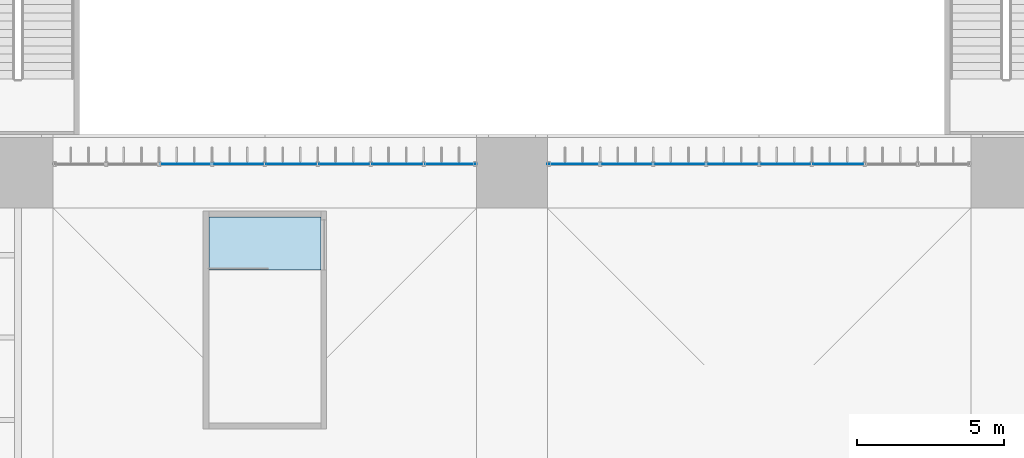
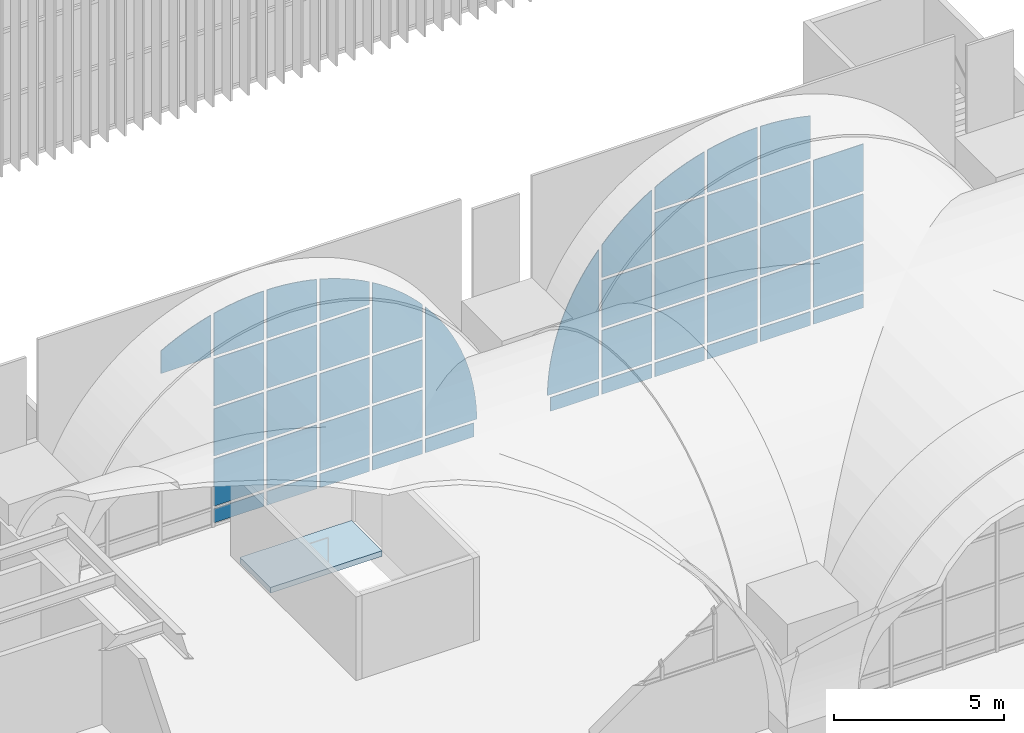
# One storey, part 79 of 169: 47 plates, 1 slab, 2 elements without a shape of their own.
"""IFC4 building model written with IfcOpenShell, lengths in metres."""

from ifc_helpers import new_model, si_unit, direction, frame, origin, place, context, subcontext, project, spatial, polyline, outline, extrude, material, layer, layer_set, type_object, element, aggregate, save


model = new_model("IFC4")

# Units and contexts
model_context = context("Model", 3, precision=1e-05, world=origin(), true_north=direction((0.0, 1.0)))
body_context = subcontext(model_context, "Body", "Model", "MODEL_VIEW")
ifc_project = project(units=[si_unit("LENGTHUNIT", "METRE"), si_unit("AREAUNIT", "SQUARE_METRE"), si_unit("VOLUMEUNIT", "CUBIC_METRE"), si_unit("PLANEANGLEUNIT", "RADIAN"), si_unit("MASSUNIT", "GRAM", prefix="KILO")], contexts=[model_context])

# Site, building, storey
site_placement = place(None, origin())
site = spatial("IfcSite", under=ifc_project, at=site_placement, CompositionType="ELEMENT")
building_placement = place(site_placement, origin())
building = spatial("IfcBuilding", under=site, at=building_placement, Name="Verrick Yard Athletic Hall", CompositionType="ELEMENT")
storey_placement = place(building_placement, frame((0.0, 0.0, 4.39990234375)))
storey = spatial("IfcBuildingStorey", under=building, at=storey_placement, Name="L01", CompositionType="ELEMENT", Elevation=4.39990234375)

# Slab
ifc_material_1 = material(Name="Concrete 35 MPa", Category="concrete")
ifc_layer_1 = layer(ifc_material_1, 0.199951171875)
ifc_layer_set_1 = layer_set([ifc_layer_1], Name="Core floor slab 200")
slab_type = type_object("IfcSlabType", Name="Core floor slab 200", PredefinedType="FLOOR", material=ifc_layer_set_1)
slab_placement = place(storey_placement, frame((0.0, 0.0, -0.199951171875)))
element("IfcSlab", 1, at=slab_placement, inside=storey, type_object=slab_type, Name="CORE-PS-N1-NL-L01", PredefinedType="FLOOR", context=body_context, shape_type="SweptSolid", body=[
    extrude(outline(polyline([(46.5, 51.300048828125), (46.5, 49.5), (50.300048828125, 49.5), (50.300048828125, 51.300048828125), (46.5, 51.300048828125)])), origin(), (0.0, 0.0, 1.0), 0.199951171875),
])

# Curtain wall, plates
ifc_material_2 = material(Name="Aluminium and glass curtain wall", Category="aluminium")
ifc_layer_2 = layer(ifc_material_2, 0.14990234375)
ifc_layer_set_2 = layer_set([ifc_layer_2], Name="Arcade glazing arch")
curtain_wall_type = type_object("IfcCurtainWallType", Name="Arcade glazing arch", PredefinedType="NOTDEFINED", material=ifc_layer_set_2)
curtain_wall_1_placement = place(storey_placement, origin())
curtain_wall_1 = element("IfcCurtainWall", 2, at=curtain_wall_1_placement, inside=storey, type_object=curtain_wall_type, Name="Arcade glazing N1", PredefinedType="NOTDEFINED")
ifc_material_3 = material(Name="Laminated glass 28 mm", Category="glass")
ifc_layer_3 = layer(ifc_material_3, 0.028076171875)
ifc_layer_set_3 = layer_set([ifc_layer_3], Name="Curtain wall glass panel")
plate_type = type_object("IfcPlateType", Name="Curtain wall glass panel", PredefinedType="CURTAIN_PANEL", material=ifc_layer_set_3)
plate_1_placement = place(storey_placement, frame((41.199951171875, 53.10009765625, 6.100830078125), z_axis=(0.0, 0.0, 1.0), x_axis=(1.0, 0.0, 0.0)))
plate_1 = element("IfcPlate", 3, at=plate_1_placement, type_object=plate_type, Name="Arcade glazing N1 panel 11", PredefinedType="CURTAIN_PANEL", context=body_context, shape_type="SweptSolid", body=[
    extrude(outline(polyline([(5.34912109375, 1.507080078125), (5.33642578125, 1.50390625), (5.034912109375, 1.416015625), (4.737548828125, 1.315185546875), (4.444580078125, 1.201171875), (4.156982421875, 1.07470703125), (3.87548828125, 0.935791015625), (3.65087890625, 0.8125), (3.65087890625, 0.0), (5.34912109375, 0.0), (5.34912109375, 1.507080078125)])), frame((0.0, 0.01416015625, 0.0), z_axis=(0.0, -1.0, 0.0), x_axis=(1.0, 0.0, 0.0)), (0.0, 0.0, 1.0), 0.028076171875),
])
plate_2_placement = place(storey_placement, frame((41.199951171875, 53.10009765625, 0.101806640625), z_axis=(0.0, 0.0, 1.0), x_axis=(1.0, 0.0, 0.0)))
plate_2 = element("IfcPlate", 4, at=plate_2_placement, type_object=plate_type, Name="Arcade glazing N1 panel 12", PredefinedType="CURTAIN_PANEL", context=body_context, shape_type="SweptSolid", body=[
    extrude(outline(polyline([(7.149169921875, 0.0), (7.149169921875, 0.49755859375), (5.45068359375, 0.49755859375), (5.45068359375, 0.0), (7.149169921875, 0.0)])), frame((0.0, 0.01416015625, 0.0), z_axis=(0.0, -1.0, 0.0), x_axis=(1.0, 0.0, 0.0)), (0.0, 0.0, 1.0), 0.028076171875),
])
plate_3_placement = place(storey_placement, frame((41.199951171875, 53.10009765625, 0.700927734375), z_axis=(0.0, 0.0, 1.0), x_axis=(1.0, 0.0, 0.0)))
plate_3 = element("IfcPlate", 5, at=plate_3_placement, type_object=plate_type, Name="Arcade glazing N1 panel 13", PredefinedType="CURTAIN_PANEL", context=body_context, shape_type="SweptSolid", body=[
    extrude(outline(polyline([(7.149169921875, 0.0), (7.149169921875, 1.698486328125), (5.45068359375, 1.698486328125), (5.45068359375, 0.0), (7.149169921875, 0.0)])), frame((0.0, 0.01416015625, 0.0), z_axis=(0.0, -1.0, 0.0), x_axis=(1.0, 0.0, 0.0)), (0.0, 0.0, 1.0), 0.028076171875),
])
plate_4_placement = place(storey_placement, frame((41.199951171875, 53.10009765625, 2.5009765625), z_axis=(0.0, 0.0, 1.0), x_axis=(1.0, 0.0, 0.0)))
plate_4 = element("IfcPlate", 6, at=plate_4_placement, type_object=plate_type, Name="Arcade glazing N1 panel 14", PredefinedType="CURTAIN_PANEL", context=body_context, shape_type="SweptSolid", body=[
    extrude(outline(polyline([(7.149169921875, 0.0), (7.149169921875, 1.6982421875), (5.45068359375, 1.6982421875), (5.45068359375, 0.0), (7.149169921875, 0.0)])), frame((0.0, 0.01416015625, 0.0), z_axis=(0.0, -1.0, 0.0), x_axis=(1.0, 0.0, 0.0)), (0.0, 0.0, 1.0), 0.028076171875),
])
plate_5_placement = place(storey_placement, frame((41.199951171875, 53.10009765625, 4.30078125), z_axis=(0.0, 0.0, 1.0), x_axis=(1.0, 0.0, 0.0)))
plate_5 = element("IfcPlate", 7, at=plate_5_placement, type_object=plate_type, Name="Arcade glazing N1 panel 15", PredefinedType="CURTAIN_PANEL", context=body_context, shape_type="SweptSolid", body=[
    extrude(outline(polyline([(7.149169921875, 0.0), (7.149169921875, 1.698486328125), (5.45068359375, 1.698486328125), (5.45068359375, 0.0), (7.149169921875, 0.0)])), frame((0.0, 0.01416015625, 0.0), z_axis=(0.0, -1.0, 0.0), x_axis=(1.0, 0.0, 0.0)), (0.0, 0.0, 1.0), 0.028076171875),
])
plate_6_placement = place(storey_placement, frame((41.199951171875, 53.10009765625, 6.100830078125), z_axis=(0.0, 0.0, 1.0), x_axis=(1.0, 0.0, 0.0)))
plate_6 = element("IfcPlate", 8, at=plate_6_placement, type_object=plate_type, Name="Arcade glazing N1 panel 16", PredefinedType="CURTAIN_PANEL", context=body_context, shape_type="SweptSolid", body=[
    extrude(outline(polyline([(7.149169921875, 1.748046875), (6.885986328125, 1.742431640625), (6.572509765625, 1.721923828125), (6.26025390625, 1.687744140625), (5.94970703125, 1.639892578125), (5.6416015625, 1.57861328125), (5.45068359375, 1.531982421875), (5.45068359375, 0.0), (7.149169921875, 0.0), (7.149169921875, 1.748046875)])), frame((0.0, 0.01416015625, 0.0), z_axis=(0.0, -1.0, 0.0), x_axis=(1.0, 0.0, 0.0)), (0.0, 0.0, 1.0), 0.028076171875),
])
plate_7_placement = place(storey_placement, frame((41.199951171875, 53.10009765625, 0.101806640625), z_axis=(0.0, 0.0, 1.0), x_axis=(1.0, 0.0, 0.0)))
plate_7 = element("IfcPlate", 9, at=plate_7_placement, type_object=plate_type, Name="Arcade glazing N1 panel 17", PredefinedType="CURTAIN_PANEL", context=body_context, shape_type="SweptSolid", body=[
    extrude(outline(polyline([(8.94921875, 0.0), (8.94921875, 0.49755859375), (7.250732421875, 0.49755859375), (7.250732421875, 0.0), (8.94921875, 0.0)])), frame((0.0, 0.01416015625, 0.0), z_axis=(0.0, -1.0, 0.0), x_axis=(1.0, 0.0, 0.0)), (0.0, 0.0, 1.0), 0.028076171875),
])
plate_8_placement = place(storey_placement, frame((41.199951171875, 53.10009765625, 0.700927734375), z_axis=(0.0, 0.0, 1.0), x_axis=(1.0, 0.0, 0.0)))
plate_8 = element("IfcPlate", 10, at=plate_8_placement, type_object=plate_type, Name="Arcade glazing N1 panel 18", PredefinedType="CURTAIN_PANEL", context=body_context, shape_type="SweptSolid", body=[
    extrude(outline(polyline([(8.94921875, 0.0), (8.94921875, 1.698486328125), (7.250732421875, 1.698486328125), (7.250732421875, 0.0), (8.94921875, 0.0)])), frame((0.0, 0.01416015625, 0.0), z_axis=(0.0, -1.0, 0.0), x_axis=(1.0, 0.0, 0.0)), (0.0, 0.0, 1.0), 0.028076171875),
])
plate_9_placement = place(storey_placement, frame((41.199951171875, 53.10009765625, 2.5009765625), z_axis=(0.0, 0.0, 1.0), x_axis=(1.0, 0.0, 0.0)))
plate_9 = element("IfcPlate", 11, at=plate_9_placement, type_object=plate_type, Name="Arcade glazing N1 panel 19", PredefinedType="CURTAIN_PANEL", context=body_context, shape_type="SweptSolid", body=[
    extrude(outline(polyline([(8.94921875, 0.0), (8.94921875, 1.6982421875), (7.250732421875, 1.6982421875), (7.250732421875, 0.0), (8.94921875, 0.0)])), frame((0.0, 0.01416015625, 0.0), z_axis=(0.0, -1.0, 0.0), x_axis=(1.0, 0.0, 0.0)), (0.0, 0.0, 1.0), 0.028076171875),
])
plate_10_placement = place(storey_placement, frame((41.199951171875, 53.10009765625, 4.30078125), z_axis=(0.0, 0.0, 1.0), x_axis=(1.0, 0.0, 0.0)))
plate_10 = element("IfcPlate", 12, at=plate_10_placement, type_object=plate_type, Name="Arcade glazing N1 panel 20", PredefinedType="CURTAIN_PANEL", context=body_context, shape_type="SweptSolid", body=[
    extrude(outline(polyline([(8.94921875, 0.0), (8.94921875, 1.698486328125), (7.250732421875, 1.698486328125), (7.250732421875, 0.0), (8.94921875, 0.0)])), frame((0.0, 0.01416015625, 0.0), z_axis=(0.0, -1.0, 0.0), x_axis=(1.0, 0.0, 0.0)), (0.0, 0.0, 1.0), 0.028076171875),
])
plate_11_placement = place(storey_placement, frame((41.199951171875, 53.10009765625, 6.100830078125), z_axis=(0.0, 0.0, 1.0), x_axis=(1.0, 0.0, 0.0)))
plate_11 = element("IfcPlate", 13, at=plate_11_placement, type_object=plate_type, Name="Arcade glazing N1 panel 21", PredefinedType="CURTAIN_PANEL", context=body_context, shape_type="SweptSolid", body=[
    extrude(outline(polyline([(8.94921875, 1.531982421875), (8.75830078125, 1.57861328125), (8.4501953125, 1.639892578125), (8.139892578125, 1.687744140625), (7.827392578125, 1.721923828125), (7.51416015625, 1.742431640625), (7.250732421875, 1.748046875), (7.250732421875, 0.0), (8.94921875, 0.0), (8.94921875, 1.531982421875)])), frame((0.0, 0.01416015625, 0.0), z_axis=(0.0, -1.0, 0.0), x_axis=(1.0, 0.0, 0.0)), (0.0, 0.0, 1.0), 0.028076171875),
])
plate_12_placement = place(storey_placement, frame((41.199951171875, 53.10009765625, 0.101806640625), z_axis=(0.0, 0.0, 1.0), x_axis=(1.0, 0.0, 0.0)))
plate_12 = element("IfcPlate", 14, at=plate_12_placement, type_object=plate_type, Name="Arcade glazing N1 panel 22", PredefinedType="CURTAIN_PANEL", context=body_context, shape_type="SweptSolid", body=[
    extrude(outline(polyline([(10.749267578125, 0.0), (10.749267578125, 0.49755859375), (9.05078125, 0.49755859375), (9.05078125, 0.0), (10.749267578125, 0.0)])), frame((0.0, 0.01416015625, 0.0), z_axis=(0.0, -1.0, 0.0), x_axis=(1.0, 0.0, 0.0)), (0.0, 0.0, 1.0), 0.028076171875),
])
plate_13_placement = place(storey_placement, frame((41.199951171875, 53.10009765625, 0.700927734375), z_axis=(0.0, 0.0, 1.0), x_axis=(1.0, 0.0, 0.0)))
plate_13 = element("IfcPlate", 15, at=plate_13_placement, type_object=plate_type, Name="Arcade glazing N1 panel 23", PredefinedType="CURTAIN_PANEL", context=body_context, shape_type="SweptSolid", body=[
    extrude(outline(polyline([(10.749267578125, 0.0), (10.749267578125, 1.698486328125), (9.05078125, 1.698486328125), (9.05078125, 0.0), (10.749267578125, 0.0)])), frame((0.0, 0.01416015625, 0.0), z_axis=(0.0, -1.0, 0.0), x_axis=(1.0, 0.0, 0.0)), (0.0, 0.0, 1.0), 0.028076171875),
])
plate_14_placement = place(storey_placement, frame((41.199951171875, 53.10009765625, 2.5009765625), z_axis=(0.0, 0.0, 1.0), x_axis=(1.0, 0.0, 0.0)))
plate_14 = element("IfcPlate", 16, at=plate_14_placement, type_object=plate_type, Name="Arcade glazing N1 panel 24", PredefinedType="CURTAIN_PANEL", context=body_context, shape_type="SweptSolid", body=[
    extrude(outline(polyline([(10.749267578125, 0.0), (10.749267578125, 1.6982421875), (9.05078125, 1.6982421875), (9.05078125, 0.0), (10.749267578125, 0.0)])), frame((0.0, 0.01416015625, 0.0), z_axis=(0.0, -1.0, 0.0), x_axis=(1.0, 0.0, 0.0)), (0.0, 0.0, 1.0), 0.028076171875),
])
plate_15_placement = place(storey_placement, frame((41.199951171875, 53.10009765625, 4.30078125), z_axis=(0.0, 0.0, 1.0), x_axis=(1.0, 0.0, 0.0)))
plate_15 = element("IfcPlate", 17, at=plate_15_placement, type_object=plate_type, Name="Arcade glazing N1 panel 25", PredefinedType="CURTAIN_PANEL", context=body_context, shape_type="SweptSolid", body=[
    extrude(outline(polyline([(10.749267578125, 0.0), (10.749267578125, 1.698486328125), (9.05078125, 1.698486328125), (9.05078125, 0.0), (10.749267578125, 0.0)])), frame((0.0, 0.01416015625, 0.0), z_axis=(0.0, -1.0, 0.0), x_axis=(1.0, 0.0, 0.0)), (0.0, 0.0, 1.0), 0.028076171875),
])
plate_16_placement = place(storey_placement, frame((41.199951171875, 53.10009765625, 6.100830078125), z_axis=(0.0, 0.0, 1.0), x_axis=(1.0, 0.0, 0.0)))
plate_16 = element("IfcPlate", 18, at=plate_16_placement, type_object=plate_type, Name="Arcade glazing N1 panel 26", PredefinedType="CURTAIN_PANEL", context=body_context, shape_type="SweptSolid", body=[
    extrude(outline(polyline([(10.749267578125, 0.8125), (10.524658203125, 0.935791015625), (10.242919921875, 1.07470703125), (9.955322265625, 1.201171875), (9.66259765625, 1.315185546875), (9.364990234375, 1.416015625), (9.0634765625, 1.50390625), (9.05078125, 1.507080078125), (9.05078125, 0.0), (10.749267578125, 0.0), (10.749267578125, 0.8125)])), frame((0.0, 0.01416015625, 0.0), z_axis=(0.0, -1.0, 0.0), x_axis=(1.0, 0.0, 0.0)), (0.0, 0.0, 1.0), 0.028076171875),
])
plate_17_placement = place(storey_placement, frame((41.199951171875, 53.10009765625, 0.101806640625), z_axis=(0.0, 0.0, 1.0), x_axis=(1.0, 0.0, 0.0)))
plate_17 = element("IfcPlate", 19, at=plate_17_placement, type_object=plate_type, Name="Arcade glazing N1 panel 27", PredefinedType="CURTAIN_PANEL", context=body_context, shape_type="SweptSolid", body=[
    extrude(outline(polyline([(12.54931640625, 0.0), (12.54931640625, 0.49755859375), (10.850830078125, 0.49755859375), (10.850830078125, 0.0), (12.54931640625, 0.0)])), frame((0.0, 0.01416015625, 0.0), z_axis=(0.0, -1.0, 0.0), x_axis=(1.0, 0.0, 0.0)), (0.0, 0.0, 1.0), 0.028076171875),
])
plate_18_placement = place(storey_placement, frame((41.199951171875, 53.10009765625, 0.700927734375), z_axis=(0.0, 0.0, 1.0), x_axis=(1.0, 0.0, 0.0)))
plate_18 = element("IfcPlate", 20, at=plate_18_placement, type_object=plate_type, Name="Arcade glazing N1 panel 28", PredefinedType="CURTAIN_PANEL", context=body_context, shape_type="SweptSolid", body=[
    extrude(outline(polyline([(12.54931640625, 0.0), (12.54931640625, 1.698486328125), (10.850830078125, 1.698486328125), (10.850830078125, 0.0), (12.54931640625, 0.0)])), frame((0.0, 0.01416015625, 0.0), z_axis=(0.0, -1.0, 0.0), x_axis=(1.0, 0.0, 0.0)), (0.0, 0.0, 1.0), 0.028076171875),
])
plate_19_placement = place(storey_placement, frame((41.199951171875, 53.10009765625, 2.5009765625), z_axis=(0.0, 0.0, 1.0), x_axis=(1.0, 0.0, 0.0)))
plate_19 = element("IfcPlate", 21, at=plate_19_placement, type_object=plate_type, Name="Arcade glazing N1 panel 29", PredefinedType="CURTAIN_PANEL", context=body_context, shape_type="SweptSolid", body=[
    extrude(outline(polyline([(12.54931640625, 0.0), (12.54931640625, 1.6982421875), (10.850830078125, 1.6982421875), (10.850830078125, 0.0), (12.54931640625, 0.0)])), frame((0.0, 0.01416015625, 0.0), z_axis=(0.0, -1.0, 0.0), x_axis=(1.0, 0.0, 0.0)), (0.0, 0.0, 1.0), 0.028076171875),
])
plate_20_placement = place(storey_placement, frame((41.199951171875, 53.10009765625, 4.30078125), z_axis=(0.0, 0.0, 1.0), x_axis=(1.0, 0.0, 0.0)))
plate_20 = element("IfcPlate", 22, at=plate_20_placement, type_object=plate_type, Name="Arcade glazing N1 panel 30", PredefinedType="CURTAIN_PANEL", context=body_context, shape_type="SweptSolid", body=[
    extrude(outline(polyline([(12.54931640625, 1.1669921875), (12.50830078125, 1.213623046875), (12.291259765625, 1.4404296875), (12.064208984375, 1.65771484375), (11.828125, 1.86474609375), (11.5830078125, 2.0615234375), (11.329833984375, 2.247314453125), (11.068603515625, 2.421630859375), (10.850830078125, 2.553955078125), (10.850830078125, 0.0), (12.54931640625, 0.0), (12.54931640625, 1.1669921875)])), frame((0.0, 0.01416015625, 0.0), z_axis=(0.0, -1.0, 0.0), x_axis=(1.0, 0.0, 0.0)), (0.0, 0.0, 1.0), 0.028076171875),
])
plate_21_placement = place(storey_placement, frame((41.199951171875, 53.10009765625, 0.101806640625), z_axis=(0.0, 0.0, 1.0), x_axis=(1.0, 0.0, 0.0)))
plate_21 = element("IfcPlate", 23, at=plate_21_placement, type_object=plate_type, Name="Arcade glazing N1 panel 31", PredefinedType="CURTAIN_PANEL", context=body_context, shape_type="SweptSolid", body=[
    extrude(outline(polyline([(14.2978515625, 0.0), (14.2978515625, 0.49755859375), (12.65087890625, 0.49755859375), (12.65087890625, 0.0), (14.2978515625, 0.0)])), frame((0.0, 0.01416015625, 0.0), z_axis=(0.0, -1.0, 0.0), x_axis=(1.0, 0.0, 0.0)), (0.0, 0.0, 1.0), 0.028076171875),
])
plate_22_placement = place(storey_placement, frame((41.199951171875, 53.10009765625, 0.700927734375), z_axis=(0.0, 0.0, 1.0), x_axis=(1.0, 0.0, 0.0)))
plate_22 = element("IfcPlate", 24, at=plate_22_placement, type_object=plate_type, Name="Arcade glazing N1 panel 32", PredefinedType="CURTAIN_PANEL", context=body_context, shape_type="SweptSolid", body=[
    extrude(outline(polyline([(14.39892578125, 0.0), (14.39306640625, 0.26318359375), (14.37255859375, 0.57666015625), (14.33837890625, 0.888916015625), (14.29052734375, 1.199462890625), (14.229248046875, 1.507568359375), (14.15478515625, 1.812744140625), (14.06689453125, 2.1142578125), (13.9658203125, 2.41162109375), (13.851806640625, 2.70458984375), (13.725341796875, 2.9921875), (13.58642578125, 3.273681640625), (13.435302734375, 3.549072265625), (13.2724609375, 3.81787109375), (13.097900390625, 4.078857421875), (12.912109375, 4.332275390625), (12.715576171875, 4.5771484375), (12.65087890625, 4.651123046875), (12.65087890625, 0.0), (14.39892578125, 0.0)])), frame((0.0, 0.01416015625, 0.0), z_axis=(0.0, -1.0, 0.0), x_axis=(1.0, 0.0, 0.0)), (0.0, 0.0, 1.0), 0.028076171875),
])
aggregate(curtain_wall_1, [plate_1, plate_2, plate_3, plate_4, plate_5, plate_6, plate_7, plate_8, plate_9, plate_10, plate_11, plate_12, plate_13, plate_14, plate_15, plate_16, plate_17, plate_18, plate_19, plate_20, plate_21, plate_22])

curtain_wall_2_placement = place(storey_placement, origin())
curtain_wall_2 = element("IfcCurtainWall", 25, at=curtain_wall_2_placement, inside=storey, type_object=curtain_wall_type, Name="Arcade glazing N2", PredefinedType="NOTDEFINED")
plate_23_placement = place(storey_placement, frame((58.0, 53.10009765625, 0.101806640625), z_axis=(0.0, 0.0, 1.0), x_axis=(1.0, 0.0, 0.0)))
plate_23 = element("IfcPlate", 26, at=plate_23_placement, type_object=plate_type, Name="Arcade glazing N2 panel 1", PredefinedType="CURTAIN_PANEL", context=body_context, shape_type="SweptSolid", body=[
    extrude(outline(polyline([(1.749267578125, 0.0), (1.749267578125, 0.49755859375), (0.10205078125, 0.49755859375), (0.10205078125, 0.0), (1.749267578125, 0.0)])), frame((0.0, 0.01416015625, 0.0), z_axis=(0.0, -1.0, 0.0), x_axis=(1.0, 0.0, 0.0)), (0.0, 0.0, 1.0), 0.028076171875),
])
plate_24_placement = place(storey_placement, frame((58.0, 53.10009765625, 0.700927734375), z_axis=(0.0, 0.0, 1.0), x_axis=(1.0, 0.0, 0.0)))
plate_24 = element("IfcPlate", 27, at=plate_24_placement, type_object=plate_type, Name="Arcade glazing N2 panel 2", PredefinedType="CURTAIN_PANEL", context=body_context, shape_type="SweptSolid", body=[
    extrude(outline(polyline([(1.749267578125, 4.651123046875), (1.6845703125, 4.5771484375), (1.48779296875, 4.332275390625), (1.302001953125, 4.078857421875), (1.127685546875, 3.81787109375), (0.964599609375, 3.549072265625), (0.8134765625, 3.273681640625), (0.674560546875, 2.9921875), (0.548095703125, 2.70458984375), (0.43408203125, 2.41162109375), (0.333251953125, 2.1142578125), (0.245361328125, 1.812744140625), (0.170654296875, 1.507568359375), (0.109375, 1.199462890625), (0.0615234375, 0.888916015625), (0.02734375, 0.57666015625), (0.0068359375, 0.26318359375), (0.001220703125, 0.0), (1.749267578125, 0.0), (1.749267578125, 4.651123046875)])), frame((0.0, 0.01416015625, 0.0), z_axis=(0.0, -1.0, 0.0), x_axis=(1.0, 0.0, 0.0)), (0.0, 0.0, 1.0), 0.028076171875),
])
plate_25_placement = place(storey_placement, frame((58.0, 53.10009765625, 0.101806640625), z_axis=(0.0, 0.0, 1.0), x_axis=(1.0, 0.0, 0.0)))
plate_25 = element("IfcPlate", 28, at=plate_25_placement, type_object=plate_type, Name="Arcade glazing N2 panel 3", PredefinedType="CURTAIN_PANEL", context=body_context, shape_type="SweptSolid", body=[
    extrude(outline(polyline([(3.54931640625, 0.0), (3.54931640625, 0.49755859375), (1.850830078125, 0.49755859375), (1.850830078125, 0.0), (3.54931640625, 0.0)])), frame((0.0, 0.01416015625, 0.0), z_axis=(0.0, -1.0, 0.0), x_axis=(1.0, 0.0, 0.0)), (0.0, 0.0, 1.0), 0.028076171875),
])
plate_26_placement = place(storey_placement, frame((58.0, 53.10009765625, 0.700927734375), z_axis=(0.0, 0.0, 1.0), x_axis=(1.0, 0.0, 0.0)))
plate_26 = element("IfcPlate", 29, at=plate_26_placement, type_object=plate_type, Name="Arcade glazing N2 panel 4", PredefinedType="CURTAIN_PANEL", context=body_context, shape_type="SweptSolid", body=[
    extrude(outline(polyline([(3.54931640625, 0.0), (3.54931640625, 1.698486328125), (1.850830078125, 1.698486328125), (1.850830078125, 0.0), (3.54931640625, 0.0)])), frame((0.0, 0.01416015625, 0.0), z_axis=(0.0, -1.0, 0.0), x_axis=(1.0, 0.0, 0.0)), (0.0, 0.0, 1.0), 0.028076171875),
])
plate_27_placement = place(storey_placement, frame((58.0, 53.10009765625, 2.5009765625), z_axis=(0.0, 0.0, 1.0), x_axis=(1.0, 0.0, 0.0)))
plate_27 = element("IfcPlate", 30, at=plate_27_placement, type_object=plate_type, Name="Arcade glazing N2 panel 5", PredefinedType="CURTAIN_PANEL", context=body_context, shape_type="SweptSolid", body=[
    extrude(outline(polyline([(3.54931640625, 0.0), (3.54931640625, 1.6982421875), (1.850830078125, 1.6982421875), (1.850830078125, 0.0), (3.54931640625, 0.0)])), frame((0.0, 0.01416015625, 0.0), z_axis=(0.0, -1.0, 0.0), x_axis=(1.0, 0.0, 0.0)), (0.0, 0.0, 1.0), 0.028076171875),
])
plate_28_placement = place(storey_placement, frame((58.0, 53.10009765625, 4.30078125), z_axis=(0.0, 0.0, 1.0), x_axis=(1.0, 0.0, 0.0)))
plate_28 = element("IfcPlate", 31, at=plate_28_placement, type_object=plate_type, Name="Arcade glazing N2 panel 6", PredefinedType="CURTAIN_PANEL", context=body_context, shape_type="SweptSolid", body=[
    extrude(outline(polyline([(3.54931640625, 2.553955078125), (3.331298828125, 2.421630859375), (3.0703125, 2.247314453125), (2.81689453125, 2.0615234375), (2.572021484375, 1.86474609375), (2.335693359375, 1.65771484375), (2.10888671875, 1.4404296875), (1.8916015625, 1.213623046875), (1.850830078125, 1.1669921875), (1.850830078125, 0.0), (3.54931640625, 0.0), (3.54931640625, 2.553955078125)])), frame((0.0, 0.01416015625, 0.0), z_axis=(0.0, -1.0, 0.0), x_axis=(1.0, 0.0, 0.0)), (0.0, 0.0, 1.0), 0.028076171875),
])
plate_29_placement = place(storey_placement, frame((58.0, 53.10009765625, 0.101806640625), z_axis=(0.0, 0.0, 1.0), x_axis=(1.0, 0.0, 0.0)))
plate_29 = element("IfcPlate", 32, at=plate_29_placement, type_object=plate_type, Name="Arcade glazing N2 panel 7", PredefinedType="CURTAIN_PANEL", context=body_context, shape_type="SweptSolid", body=[
    extrude(outline(polyline([(5.34912109375, 0.0), (5.34912109375, 0.49755859375), (3.65087890625, 0.49755859375), (3.65087890625, 0.0), (5.34912109375, 0.0)])), frame((0.0, 0.01416015625, 0.0), z_axis=(0.0, -1.0, 0.0), x_axis=(1.0, 0.0, 0.0)), (0.0, 0.0, 1.0), 0.028076171875),
])
plate_30_placement = place(storey_placement, frame((58.0, 53.10009765625, 0.700927734375), z_axis=(0.0, 0.0, 1.0), x_axis=(1.0, 0.0, 0.0)))
plate_30 = element("IfcPlate", 33, at=plate_30_placement, type_object=plate_type, Name="Arcade glazing N2 panel 8", PredefinedType="CURTAIN_PANEL", context=body_context, shape_type="SweptSolid", body=[
    extrude(outline(polyline([(5.34912109375, 0.0), (5.34912109375, 1.698486328125), (3.65087890625, 1.698486328125), (3.65087890625, 0.0), (5.34912109375, 0.0)])), frame((0.0, 0.01416015625, 0.0), z_axis=(0.0, -1.0, 0.0), x_axis=(1.0, 0.0, 0.0)), (0.0, 0.0, 1.0), 0.028076171875),
])
plate_31_placement = place(storey_placement, frame((58.0, 53.10009765625, 2.5009765625), z_axis=(0.0, 0.0, 1.0), x_axis=(1.0, 0.0, 0.0)))
plate_31 = element("IfcPlate", 34, at=plate_31_placement, type_object=plate_type, Name="Arcade glazing N2 panel 9", PredefinedType="CURTAIN_PANEL", context=body_context, shape_type="SweptSolid", body=[
    extrude(outline(polyline([(5.34912109375, 0.0), (5.34912109375, 1.6982421875), (3.65087890625, 1.6982421875), (3.65087890625, 0.0), (5.34912109375, 0.0)])), frame((0.0, 0.01416015625, 0.0), z_axis=(0.0, -1.0, 0.0), x_axis=(1.0, 0.0, 0.0)), (0.0, 0.0, 1.0), 0.028076171875),
])
plate_32_placement = place(storey_placement, frame((58.0, 53.10009765625, 4.30078125), z_axis=(0.0, 0.0, 1.0), x_axis=(1.0, 0.0, 0.0)))
plate_32 = element("IfcPlate", 35, at=plate_32_placement, type_object=plate_type, Name="Arcade glazing N2 panel 10", PredefinedType="CURTAIN_PANEL", context=body_context, shape_type="SweptSolid", body=[
    extrude(outline(polyline([(5.34912109375, 0.0), (5.34912109375, 1.698486328125), (3.65087890625, 1.698486328125), (3.65087890625, 0.0), (5.34912109375, 0.0)])), frame((0.0, 0.01416015625, 0.0), z_axis=(0.0, -1.0, 0.0), x_axis=(1.0, 0.0, 0.0)), (0.0, 0.0, 1.0), 0.028076171875),
])
plate_33_placement = place(storey_placement, frame((58.0, 53.10009765625, 6.100830078125), z_axis=(0.0, 0.0, 1.0), x_axis=(1.0, 0.0, 0.0)))
plate_33 = element("IfcPlate", 36, at=plate_33_placement, type_object=plate_type, Name="Arcade glazing N2 panel 11", PredefinedType="CURTAIN_PANEL", context=body_context, shape_type="SweptSolid", body=[
    extrude(outline(polyline([(5.34912109375, 1.507080078125), (5.33642578125, 1.50390625), (5.034912109375, 1.416015625), (4.737548828125, 1.315185546875), (4.444580078125, 1.201171875), (4.156982421875, 1.07470703125), (3.87548828125, 0.935791015625), (3.65087890625, 0.8125), (3.65087890625, 0.0), (5.34912109375, 0.0), (5.34912109375, 1.507080078125)])), frame((0.0, 0.01416015625, 0.0), z_axis=(0.0, -1.0, 0.0), x_axis=(1.0, 0.0, 0.0)), (0.0, 0.0, 1.0), 0.028076171875),
])
plate_34_placement = place(storey_placement, frame((58.0, 53.10009765625, 0.101806640625), z_axis=(0.0, 0.0, 1.0), x_axis=(1.0, 0.0, 0.0)))
plate_34 = element("IfcPlate", 37, at=plate_34_placement, type_object=plate_type, Name="Arcade glazing N2 panel 12", PredefinedType="CURTAIN_PANEL", context=body_context, shape_type="SweptSolid", body=[
    extrude(outline(polyline([(7.149169921875, 0.0), (7.149169921875, 0.49755859375), (5.45068359375, 0.49755859375), (5.45068359375, 0.0), (7.149169921875, 0.0)])), frame((0.0, 0.01416015625, 0.0), z_axis=(0.0, -1.0, 0.0), x_axis=(1.0, 0.0, 0.0)), (0.0, 0.0, 1.0), 0.028076171875),
])
plate_35_placement = place(storey_placement, frame((58.0, 53.10009765625, 0.700927734375), z_axis=(0.0, 0.0, 1.0), x_axis=(1.0, 0.0, 0.0)))
plate_35 = element("IfcPlate", 38, at=plate_35_placement, type_object=plate_type, Name="Arcade glazing N2 panel 13", PredefinedType="CURTAIN_PANEL", context=body_context, shape_type="SweptSolid", body=[
    extrude(outline(polyline([(7.149169921875, 0.0), (7.149169921875, 1.698486328125), (5.45068359375, 1.698486328125), (5.45068359375, 0.0), (7.149169921875, 0.0)])), frame((0.0, 0.01416015625, 0.0), z_axis=(0.0, -1.0, 0.0), x_axis=(1.0, 0.0, 0.0)), (0.0, 0.0, 1.0), 0.028076171875),
])
plate_36_placement = place(storey_placement, frame((58.0, 53.10009765625, 2.5009765625), z_axis=(0.0, 0.0, 1.0), x_axis=(1.0, 0.0, 0.0)))
plate_36 = element("IfcPlate", 39, at=plate_36_placement, type_object=plate_type, Name="Arcade glazing N2 panel 14", PredefinedType="CURTAIN_PANEL", context=body_context, shape_type="SweptSolid", body=[
    extrude(outline(polyline([(7.149169921875, 0.0), (7.149169921875, 1.6982421875), (5.45068359375, 1.6982421875), (5.45068359375, 0.0), (7.149169921875, 0.0)])), frame((0.0, 0.01416015625, 0.0), z_axis=(0.0, -1.0, 0.0), x_axis=(1.0, 0.0, 0.0)), (0.0, 0.0, 1.0), 0.028076171875),
])
plate_37_placement = place(storey_placement, frame((58.0, 53.10009765625, 4.30078125), z_axis=(0.0, 0.0, 1.0), x_axis=(1.0, 0.0, 0.0)))
plate_37 = element("IfcPlate", 40, at=plate_37_placement, type_object=plate_type, Name="Arcade glazing N2 panel 15", PredefinedType="CURTAIN_PANEL", context=body_context, shape_type="SweptSolid", body=[
    extrude(outline(polyline([(7.149169921875, 0.0), (7.149169921875, 1.698486328125), (5.45068359375, 1.698486328125), (5.45068359375, 0.0), (7.149169921875, 0.0)])), frame((0.0, 0.01416015625, 0.0), z_axis=(0.0, -1.0, 0.0), x_axis=(1.0, 0.0, 0.0)), (0.0, 0.0, 1.0), 0.028076171875),
])
plate_38_placement = place(storey_placement, frame((58.0, 53.10009765625, 6.100830078125), z_axis=(0.0, 0.0, 1.0), x_axis=(1.0, 0.0, 0.0)))
plate_38 = element("IfcPlate", 41, at=plate_38_placement, type_object=plate_type, Name="Arcade glazing N2 panel 16", PredefinedType="CURTAIN_PANEL", context=body_context, shape_type="SweptSolid", body=[
    extrude(outline(polyline([(7.149169921875, 1.748046875), (6.885986328125, 1.742431640625), (6.572509765625, 1.721923828125), (6.26025390625, 1.687744140625), (5.94970703125, 1.639892578125), (5.6416015625, 1.57861328125), (5.45068359375, 1.531982421875), (5.45068359375, 0.0), (7.149169921875, 0.0), (7.149169921875, 1.748046875)])), frame((0.0, 0.01416015625, 0.0), z_axis=(0.0, -1.0, 0.0), x_axis=(1.0, 0.0, 0.0)), (0.0, 0.0, 1.0), 0.028076171875),
])
plate_39_placement = place(storey_placement, frame((58.0, 53.10009765625, 0.101806640625), z_axis=(0.0, 0.0, 1.0), x_axis=(1.0, 0.0, 0.0)))
plate_39 = element("IfcPlate", 42, at=plate_39_placement, type_object=plate_type, Name="Arcade glazing N2 panel 17", PredefinedType="CURTAIN_PANEL", context=body_context, shape_type="SweptSolid", body=[
    extrude(outline(polyline([(8.94921875, 0.0), (8.94921875, 0.49755859375), (7.250732421875, 0.49755859375), (7.250732421875, 0.0), (8.94921875, 0.0)])), frame((0.0, 0.01416015625, 0.0), z_axis=(0.0, -1.0, 0.0), x_axis=(1.0, 0.0, 0.0)), (0.0, 0.0, 1.0), 0.028076171875),
])
plate_40_placement = place(storey_placement, frame((58.0, 53.10009765625, 0.700927734375), z_axis=(0.0, 0.0, 1.0), x_axis=(1.0, 0.0, 0.0)))
plate_40 = element("IfcPlate", 43, at=plate_40_placement, type_object=plate_type, Name="Arcade glazing N2 panel 18", PredefinedType="CURTAIN_PANEL", context=body_context, shape_type="SweptSolid", body=[
    extrude(outline(polyline([(8.94921875, 0.0), (8.94921875, 1.698486328125), (7.250732421875, 1.698486328125), (7.250732421875, 0.0), (8.94921875, 0.0)])), frame((0.0, 0.01416015625, 0.0), z_axis=(0.0, -1.0, 0.0), x_axis=(1.0, 0.0, 0.0)), (0.0, 0.0, 1.0), 0.028076171875),
])
plate_41_placement = place(storey_placement, frame((58.0, 53.10009765625, 2.5009765625), z_axis=(0.0, 0.0, 1.0), x_axis=(1.0, 0.0, 0.0)))
plate_41 = element("IfcPlate", 44, at=plate_41_placement, type_object=plate_type, Name="Arcade glazing N2 panel 19", PredefinedType="CURTAIN_PANEL", context=body_context, shape_type="SweptSolid", body=[
    extrude(outline(polyline([(8.94921875, 0.0), (8.94921875, 1.6982421875), (7.250732421875, 1.6982421875), (7.250732421875, 0.0), (8.94921875, 0.0)])), frame((0.0, 0.01416015625, 0.0), z_axis=(0.0, -1.0, 0.0), x_axis=(1.0, 0.0, 0.0)), (0.0, 0.0, 1.0), 0.028076171875),
])
plate_42_placement = place(storey_placement, frame((58.0, 53.10009765625, 4.30078125), z_axis=(0.0, 0.0, 1.0), x_axis=(1.0, 0.0, 0.0)))
plate_42 = element("IfcPlate", 45, at=plate_42_placement, type_object=plate_type, Name="Arcade glazing N2 panel 20", PredefinedType="CURTAIN_PANEL", context=body_context, shape_type="SweptSolid", body=[
    extrude(outline(polyline([(8.94921875, 0.0), (8.94921875, 1.698486328125), (7.250732421875, 1.698486328125), (7.250732421875, 0.0), (8.94921875, 0.0)])), frame((0.0, 0.01416015625, 0.0), z_axis=(0.0, -1.0, 0.0), x_axis=(1.0, 0.0, 0.0)), (0.0, 0.0, 1.0), 0.028076171875),
])
plate_43_placement = place(storey_placement, frame((58.0, 53.10009765625, 6.100830078125), z_axis=(0.0, 0.0, 1.0), x_axis=(1.0, 0.0, 0.0)))
plate_43 = element("IfcPlate", 46, at=plate_43_placement, type_object=plate_type, Name="Arcade glazing N2 panel 21", PredefinedType="CURTAIN_PANEL", context=body_context, shape_type="SweptSolid", body=[
    extrude(outline(polyline([(8.94921875, 1.531982421875), (8.75830078125, 1.57861328125), (8.4501953125, 1.639892578125), (8.139892578125, 1.687744140625), (7.827392578125, 1.721923828125), (7.51416015625, 1.742431640625), (7.250732421875, 1.748046875), (7.250732421875, 0.0), (8.94921875, 0.0), (8.94921875, 1.531982421875)])), frame((0.0, 0.01416015625, 0.0), z_axis=(0.0, -1.0, 0.0), x_axis=(1.0, 0.0, 0.0)), (0.0, 0.0, 1.0), 0.028076171875),
])
plate_44_placement = place(storey_placement, frame((58.0, 53.10009765625, 0.101806640625), z_axis=(0.0, 0.0, 1.0), x_axis=(1.0, 0.0, 0.0)))
plate_44 = element("IfcPlate", 47, at=plate_44_placement, type_object=plate_type, Name="Arcade glazing N2 panel 22", PredefinedType="CURTAIN_PANEL", context=body_context, shape_type="SweptSolid", body=[
    extrude(outline(polyline([(10.749267578125, 0.0), (10.749267578125, 0.49755859375), (9.05078125, 0.49755859375), (9.05078125, 0.0), (10.749267578125, 0.0)])), frame((0.0, 0.01416015625, 0.0), z_axis=(0.0, -1.0, 0.0), x_axis=(1.0, 0.0, 0.0)), (0.0, 0.0, 1.0), 0.028076171875),
])
plate_45_placement = place(storey_placement, frame((58.0, 53.10009765625, 0.700927734375), z_axis=(0.0, 0.0, 1.0), x_axis=(1.0, 0.0, 0.0)))
plate_45 = element("IfcPlate", 48, at=plate_45_placement, type_object=plate_type, Name="Arcade glazing N2 panel 23", PredefinedType="CURTAIN_PANEL", context=body_context, shape_type="SweptSolid", body=[
    extrude(outline(polyline([(10.749267578125, 0.0), (10.749267578125, 1.698486328125), (9.05078125, 1.698486328125), (9.05078125, 0.0), (10.749267578125, 0.0)])), frame((0.0, 0.01416015625, 0.0), z_axis=(0.0, -1.0, 0.0), x_axis=(1.0, 0.0, 0.0)), (0.0, 0.0, 1.0), 0.028076171875),
])
plate_46_placement = place(storey_placement, frame((58.0, 53.10009765625, 2.5009765625), z_axis=(0.0, 0.0, 1.0), x_axis=(1.0, 0.0, 0.0)))
plate_46 = element("IfcPlate", 49, at=plate_46_placement, type_object=plate_type, Name="Arcade glazing N2 panel 24", PredefinedType="CURTAIN_PANEL", context=body_context, shape_type="SweptSolid", body=[
    extrude(outline(polyline([(10.749267578125, 0.0), (10.749267578125, 1.6982421875), (9.05078125, 1.6982421875), (9.05078125, 0.0), (10.749267578125, 0.0)])), frame((0.0, 0.01416015625, 0.0), z_axis=(0.0, -1.0, 0.0), x_axis=(1.0, 0.0, 0.0)), (0.0, 0.0, 1.0), 0.028076171875),
])
plate_47_placement = place(storey_placement, frame((58.0, 53.10009765625, 4.30078125), z_axis=(0.0, 0.0, 1.0), x_axis=(1.0, 0.0, 0.0)))
plate_47 = element("IfcPlate", 50, at=plate_47_placement, type_object=plate_type, Name="Arcade glazing N2 panel 25", PredefinedType="CURTAIN_PANEL", context=body_context, shape_type="SweptSolid", body=[
    extrude(outline(polyline([(10.749267578125, 0.0), (10.749267578125, 1.698486328125), (9.05078125, 1.698486328125), (9.05078125, 0.0), (10.749267578125, 0.0)])), frame((0.0, 0.01416015625, 0.0), z_axis=(0.0, -1.0, 0.0), x_axis=(1.0, 0.0, 0.0)), (0.0, 0.0, 1.0), 0.028076171875),
])
aggregate(curtain_wall_2, [plate_23, plate_24, plate_25, plate_26, plate_27, plate_28, plate_29, plate_30, plate_31, plate_32, plate_33, plate_34, plate_35, plate_36, plate_37, plate_38, plate_39, plate_40, plate_41, plate_42, plate_43, plate_44, plate_45, plate_46, plate_47])

save(model, "model.ifc")
